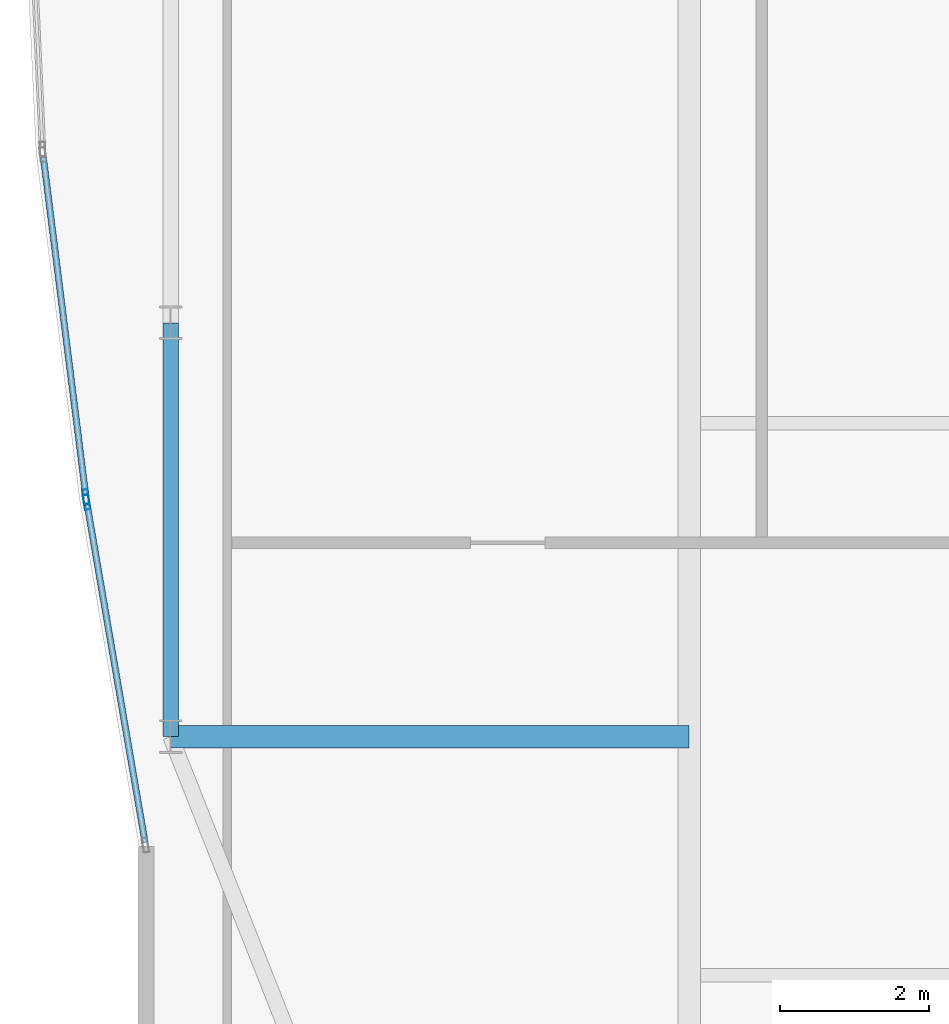
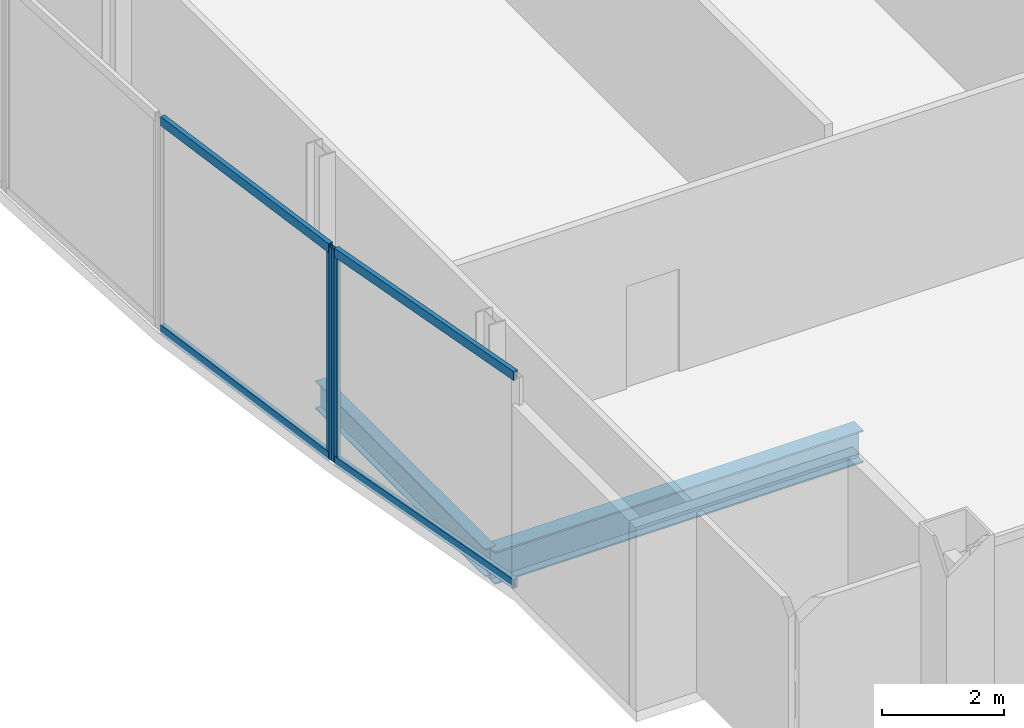
# One storey, part 5 of 27: 6 members, 2 beams, 2 elements without a shape of their own.
"""IFC4 building model written with IfcOpenShell, lengths in metres."""

from ifc_helpers import new_model, si_unit, direction, frame, origin, origin_2d, place, context, subcontext, project, spatial, hollow_rectangle, i_section, extrude, material, material_profile, profile_set, type_object, element, aggregate, save


model = new_model("IFC4")

# Units and contexts
model_context = context("Model", 3, precision=1e-05, world=origin(), true_north=direction((0.0, 1.0)))
body_context = subcontext(model_context, "Body", "Model", "MODEL_VIEW")
ifc_project = project(units=[si_unit("LENGTHUNIT", "METRE"), si_unit("AREAUNIT", "SQUARE_METRE"), si_unit("VOLUMEUNIT", "CUBIC_METRE"), si_unit("PLANEANGLEUNIT", "RADIAN"), si_unit("MASSUNIT", "GRAM", prefix="KILO")], contexts=[model_context])

# Site, building, storey
site_placement = place(None, origin())
site = spatial("IfcSite", under=ifc_project, at=site_placement, CompositionType="ELEMENT")
building_placement = place(site_placement, origin())
building = spatial("IfcBuilding", under=site, at=building_placement, Name="Khoronbel Lancet Exchange", CompositionType="ELEMENT")
storey_placement = place(building_placement, frame((0.0, 0.0, 305.800048828125)))
storey = spatial("IfcBuildingStorey", under=building, at=storey_placement, Name="L79", CompositionType="ELEMENT", Elevation=305.800048828125)

# Beams
ifc_material_1 = material(Name="Steel S355", Category="steel")
ifc_material_profile_1 = material_profile(ifc_material_1, i_section(OverallWidth=0.300048828125, OverallDepth=0.64990234375, WebThickness=0.01611328125, FlangeThickness=0.031005859375, at=origin_2d()), Name="HEB 650")
ifc_profile_set_1 = profile_set([ifc_material_profile_1], Name="Steel S355")
beam_type_1 = type_object("IfcBeamType", Name="BM-BG4", PredefinedType="BEAM", material=ifc_profile_set_1)
beam_1_placement = place(storey_placement, frame((11.27001953125, 19.199951171875, -0.545166015625), z_axis=(1.0, 0.0, 0.0), x_axis=(0.0, 1.0, 0.0)))
element("IfcBeam", 1, at=beam_1_placement, inside=storey, type_object=beam_type_1, Name="Level L79 west lens tie girder LG1W", PredefinedType="BEAM", context=body_context, shape_type="SweptSolid", body=[
    extrude(i_section(OverallWidth=0.300048828125, OverallDepth=0.64990234375, WebThickness=0.01611328125, FlangeThickness=0.031005859375, at=origin_2d()), origin(), (0.0, 0.0, 1.0), 6.955078125),
])
ifc_material_profile_2 = material_profile(ifc_material_1, i_section(OverallWidth=0.2099609375, OverallDepth=0.550048828125, WebThickness=0.010986328125, FlangeThickness=0.01708984375, at=origin_2d()), Name="IPE 550")
ifc_profile_set_2 = profile_set([ifc_material_profile_2], Name="Steel S355")
beam_type_2 = type_object("IfcBeamType", Name="BM-BSP3", PredefinedType="SPANDREL", material=ifc_profile_set_2)
beam_2_placement = place(storey_placement, frame((11.27001953125, 24.75, -0.4951171875), z_axis=(0.0, -1.0, 0.0), x_axis=(1.0, 0.0, 0.0)))
element("IfcBeam", 2, at=beam_2_placement, inside=storey, type_object=beam_type_2, Name="Level L79 perimeter spandrel beam SP18", PredefinedType="SPANDREL", context=body_context, shape_type="SweptSolid", body=[
    extrude(i_section(OverallWidth=0.2099609375, OverallDepth=0.550048828125, WebThickness=0.010986328125, FlangeThickness=0.01708984375, at=origin_2d()), origin(), (0.0, 0.0, 1.0), 5.550048828125),
])

# Curtain wall, member
ifc_material_2 = material(Name="Low-E Solar Control Insulating Glass", Category="glass")
curtain_wall_type = type_object("IfcCurtainWallType", Name="CW-4", PredefinedType="NOTDEFINED", material=ifc_material_2)
curtain_wall_1_placement = place(storey_placement, origin())
curtain_wall_1 = element("IfcCurtainWall", 3, at=curtain_wall_1_placement, inside=storey, type_object=curtain_wall_type, Name="Unitised curtain wall CW-L79-E04", PredefinedType="NOTDEFINED")
ifc_material_3 = material(Name="Bronze-Anodised Aluminium 6063-T6", Category="aluminium")
ifc_material_profile_3 = material_profile(ifc_material_3, hollow_rectangle(XDim=0.074951171875, YDim=0.199951171875, WallThickness=0.0048828125, at=origin_2d()), Name="ALU MULLION 75x200")
ifc_profile_set_3 = profile_set([ifc_material_profile_3], Name="Bronze-Anodised Aluminium 6063-T6")
member_type_1 = type_object("IfcMemberType", Name="MEM-CWM2", PredefinedType="MULLION", material=ifc_profile_set_3)
member_1_placement = place(storey_placement, frame((10.145263671875, 22.343017578125, 0.0), z_axis=(0.0, 0.0, 1.0), x_axis=(-0.985620448013, -0.168974354443, 0.0)))
member_1 = element("IfcMember", 4, at=member_1_placement, type_object=member_type_1, Name="CW4 mullion 2", PredefinedType="MULLION", context=body_context, shape_type="SweptSolid", body=[
    extrude(hollow_rectangle(XDim=0.074951171875, YDim=0.199951171875, WallThickness=0.0048828125, at=origin_2d()), origin(), (0.0, 0.0, 1.0), 4.239990234375),
])

curtain_wall_2_placement = place(storey_placement, origin())
curtain_wall_2 = element("IfcCurtainWall", 5, at=curtain_wall_2_placement, inside=storey, type_object=curtain_wall_type, Name="Unitised curtain wall CW-L79-E05", PredefinedType="NOTDEFINED")
member_2_placement = place(storey_placement, frame((10.13427734375, 22.4169921875, 0.0), z_axis=(0.0, 0.0, 1.0), x_axis=(-0.992218486687, -0.124508934127, 0.0)))
member_2 = element("IfcMember", 6, at=member_2_placement, type_object=member_type_1, Name="CW4 mullion 1", PredefinedType="MULLION", context=body_context, shape_type="SweptSolid", body=[
    extrude(hollow_rectangle(XDim=0.074951171875, YDim=0.199951171875, WallThickness=0.0048828125, at=origin_2d()), origin(), (0.0, 0.0, 1.0), 4.239990234375),
])

# Member
ifc_material_profile_4 = material_profile(ifc_material_3, hollow_rectangle(XDim=0.0849609375, YDim=0.179931640625, WallThickness=0.0048828125, at=origin_2d()), Name="ALU TRANSOM 85x180")
ifc_profile_set_4 = profile_set([ifc_material_profile_4], Name="Bronze-Anodised Aluminium 6063-T6")
member_type_2 = type_object("IfcMemberType", Name="MEM-CWT1", PredefinedType="USERDEFINED", material=ifc_profile_set_4)
member_3_placement = place(storey_placement, frame((10.92724609375, 17.78173828125, 0.04248046875), z_axis=(-0.168977101458, 0.985619977062, 0.0), x_axis=(-0.985619977062, -0.168977101458, 0.0)))
member_3 = element("IfcMember", 7, at=member_3_placement, type_object=member_type_2, Name="CW4 transom 1.1", ObjectType="TRANSOM", PredefinedType="USERDEFINED", context=body_context, shape_type="SweptSolid", body=[
    extrude(hollow_rectangle(XDim=0.0849609375, YDim=0.179931640625, WallThickness=0.0048828125, at=origin_2d()), origin(), (0.0, 0.0, 1.0), 4.590087890625),
])

member_4_placement = place(storey_placement, frame((10.92724609375, 17.78173828125, 4.197509765625), z_axis=(-0.168977101458, 0.985619977062, 0.0), x_axis=(-0.985619977062, -0.168977101458, 0.0)))
member_4 = element("IfcMember", 8, at=member_4_placement, type_object=member_type_2, Name="CW4 transom 1.2", ObjectType="TRANSOM", PredefinedType="USERDEFINED", context=body_context, shape_type="SweptSolid", body=[
    extrude(hollow_rectangle(XDim=0.0849609375, YDim=0.179931640625, WallThickness=0.0048828125, at=origin_2d()), origin(), (0.0, 0.0, 1.0), 4.590087890625),
])

aggregate(curtain_wall_1, [member_1, member_3, member_4])

member_5_placement = place(storey_placement, frame((10.129638671875, 22.454345703125, 0.04248046875), z_axis=(-0.124497244463, 0.992219953499, 0.0), x_axis=(-0.992219953499, -0.124497244463, 0.0)))
member_5 = element("IfcMember", 9, at=member_5_placement, type_object=member_type_2, Name="CW4 transom 1.1", ObjectType="TRANSOM", PredefinedType="USERDEFINED", context=body_context, shape_type="SweptSolid", body=[
    extrude(hollow_rectangle(XDim=0.0849609375, YDim=0.179931640625, WallThickness=0.0048828125, at=origin_2d()), origin(), (0.0, 0.0, 1.0), 4.547607421875),
])

member_6_placement = place(storey_placement, frame((10.129638671875, 22.454345703125, 4.197509765625), z_axis=(-0.124497244463, 0.992219953499, 0.0), x_axis=(-0.992219953499, -0.124497244463, 0.0)))
member_6 = element("IfcMember", 10, at=member_6_placement, type_object=member_type_2, Name="CW4 transom 1.2", ObjectType="TRANSOM", PredefinedType="USERDEFINED", context=body_context, shape_type="SweptSolid", body=[
    extrude(hollow_rectangle(XDim=0.0849609375, YDim=0.179931640625, WallThickness=0.0048828125, at=origin_2d()), origin(), (0.0, 0.0, 1.0), 4.547607421875),
])

aggregate(curtain_wall_2, [member_2, member_5, member_6])

save(model, "model.ifc")
